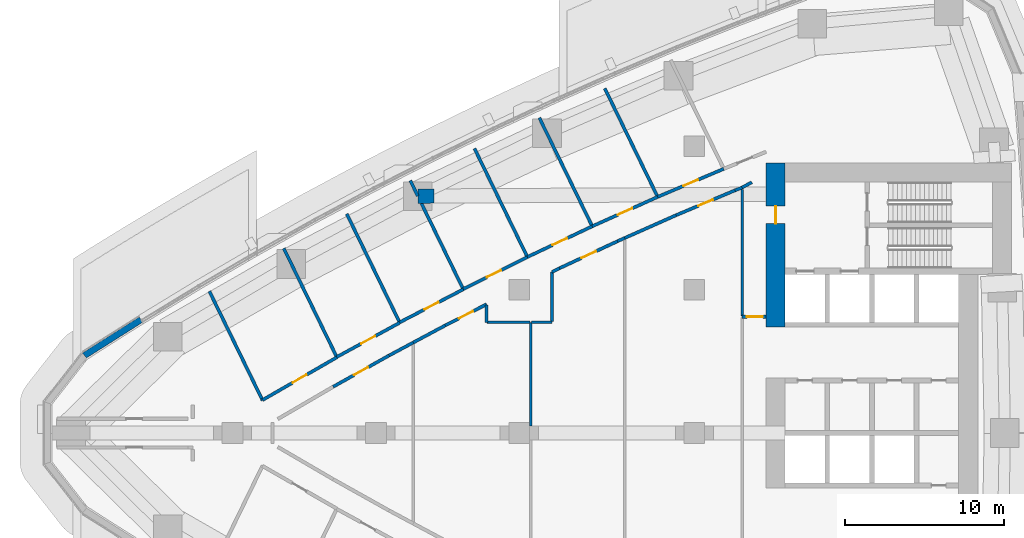
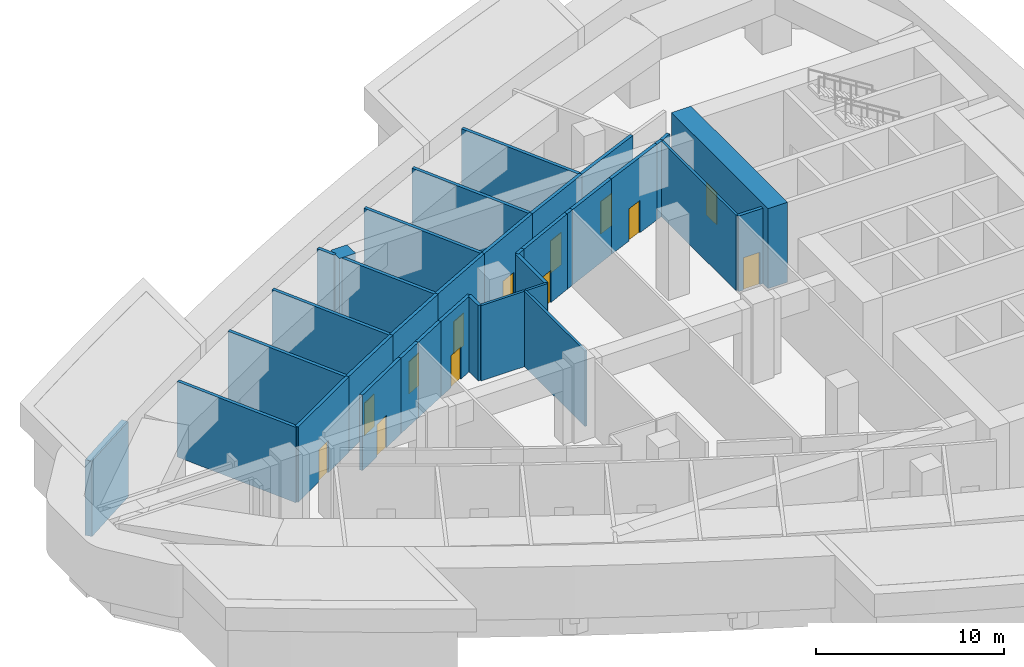
# One storey, part 11 of 17: 36 walls, 13 doors, 13 openings.
"""IFC4 building model written with IfcOpenShell, lengths in metres."""

from ifc_helpers import new_model, si_unit, direction, frame, frame_2d, origin, place, context, subcontext, project, spatial, polyline, rectangle, outline, extrude, material, layer, layer_set, type_object, element, fill, save


model = new_model("IFC4")

# Units and contexts
model_context = context("Model", 3, precision=1e-05, world=origin(), true_north=direction((0.0, 1.0)))
body_context = subcontext(model_context, "Body", "Model", "MODEL_VIEW")
ifc_project = project(units=[si_unit("LENGTHUNIT", "METRE"), si_unit("AREAUNIT", "SQUARE_METRE"), si_unit("VOLUMEUNIT", "CUBIC_METRE"), si_unit("PLANEANGLEUNIT", "RADIAN"), si_unit("MASSUNIT", "GRAM", prefix="KILO")], contexts=[model_context])

# Site, building, storey
site_placement = place(None, origin())
site = spatial("IfcSite", under=ifc_project, at=site_placement, CompositionType="ELEMENT")
building_placement = place(site_placement, origin())
building = spatial("IfcBuilding", under=site, at=building_placement, Name="Ostrand Prow Hotel Tower", CompositionType="ELEMENT")
storey_placement = place(building_placement, frame((0.0, 0.0, 75.10009765625)))
storey = spatial("IfcBuildingStorey", under=building, at=storey_placement, Name="L17", CompositionType="ELEMENT", Elevation=75.10009765625)

# Wall, opening, door
ifc_material_1 = material(Name="Concrete C80/95", Category="concrete")
ifc_layer_1 = layer(ifc_material_1, 1.199951171875)
ifc_layer_set_1 = layer_set([ifc_layer_1], Name="Concrete C80/95")
wall_type_1 = type_object("IfcWallType", Name="Core wall 1200 C80/95", PredefinedType="SHEAR", material=ifc_layer_set_1)
wall_1_placement = place(storey_placement, frame((50.10009765625, 6.64990234375, 0.0), z_axis=(0.0, 0.0, 1.0), x_axis=(0.0, 1.0, 0.0)))
wall_1 = element("IfcWall", 1, at=wall_1_placement, inside=storey, type_object=wall_type_1, Name="Core wall CW-W-N", PredefinedType="SHEAR", context=body_context, shape_type="SweptSolid", body=[
    extrude(rectangle(XDim=10.300048828125, YDim=1.199951171875, at=frame_2d((5.14990234375, 0.0))), origin(), (0.0, 0.0, 1.0), 5.199951171875),
])
opening_1_placement = place(wall_1_placement, frame((6.5, 0.0, 0.0)))
opening_1 = element("IfcOpeningElement", 2, at=opening_1_placement, cuts=wall_1, Name="Opening FD1", PredefinedType="OPENING", context=body_context, shape_type="SweptSolid", body=[
    extrude(rectangle(XDim=1.10009765625, YDim=2.10009765625, at=frame_2d((0.550048828125, 1.050048828125))), frame((0.0, 0.60986328125, 0.0), z_axis=(0.0, -1.0, 0.0), x_axis=(1.0, 0.0, 0.0)), (0.0, 0.0, 1.0), 1.219970703125),
])
ifc_material_2 = material(Name="Steel fire door", Category="steel")
door_type_1 = type_object("IfcDoorType", Name="Fire door 1100 EI120", OperationType="SINGLE_SWING_RIGHT", PredefinedType="DOOR", material=ifc_material_2)
door_1_placement = place(opening_1_placement, origin())
door_1 = element("IfcDoor", 3, at=door_1_placement, inside=storey, type_object=door_type_1, Name="FIRE DOOR", OperationType="SINGLE_SWING_RIGHT", OverallHeight=2.10009765625, OverallWidth=1.10009765625, PredefinedType="DOOR", context=body_context, shape_type="SweptSolid", body=[
    extrude(rectangle(XDim=1.10009765625, YDim=2.10009765625, at=frame_2d((0.550048828125, 1.050048828125))), frame((0.0, 0.02490234375, 0.0), z_axis=(0.0, -1.0, 0.0), x_axis=(1.0, 0.0, 0.0)), (0.0, 0.0, 1.0), 0.050048828125),
])
fill(opening_1, door_1)

# Walls
ifc_material_3 = material(Name="Concrete C80/95", Category="concrete")
ifc_layer_2 = layer(ifc_material_3, 0.89990234375)
ifc_layer_set_2 = layer_set([ifc_layer_2], Name="Concrete C80/95")
wall_type_2 = type_object("IfcWallType", Name="Outrigger wall 900 C80/95", PredefinedType="SHEAR", material=ifc_layer_set_2)
wall_2_placement = place(storey_placement, frame((28.635498046875, 14.8798828125, 0.0), z_axis=(0.0, 0.0, 1.0), x_axis=(-0.999984234944, -0.005615145851, 0.0)))
element("IfcWall", 4, at=wall_2_placement, inside=storey, type_object=wall_type_2, Name="Outrigger wall DN2", PredefinedType="SHEAR", context=body_context, shape_type="SweptSolid", body=[
    extrude(rectangle(XDim=1.0, YDim=0.89990234375, at=frame_2d((0.5, 0.0))), origin(), (0.0, 0.0, 1.0), 4.89990234375),
])
ifc_material_4 = material(Name="Plasterboard partition")
ifc_layer_3 = layer(ifc_material_4, 0.14990234375)
ifc_layer_set_3 = layer_set([ifc_layer_3], Name="Plasterboard partition")
wall_type_3 = type_object("IfcWallType", Name="Partition 150 room partition", PredefinedType="PARTITIONING", material=ifc_layer_set_3)
wall_3_placement = place(storey_placement, frame((34.72509765625, 0.449951171875, 0.0), z_axis=(0.0, 0.0, 1.0), x_axis=(0.0, 1.0, 0.0)))
element("IfcWall", 5, at=wall_3_placement, inside=storey, type_object=wall_type_3, Name="ROOM PARTITION", PredefinedType="PARTITIONING", context=body_context, shape_type="SweptSolid", body=[
    extrude(rectangle(XDim=6.5, YDim=0.14990234375, at=frame_2d((3.25, 0.0))), origin(), (0.0, 0.0, 1.0), 4.89990234375),
])
wall_4_placement = place(storey_placement, frame((31.988037109375, 6.9453125, 0.0), z_axis=(0.0, 0.0, 1.0), x_axis=(0.999999995903, -9.0522313e-05, 0.0)))
element("IfcWall", 6, at=wall_4_placement, inside=storey, type_object=wall_type_3, Name="ROOM PARTITION", PredefinedType="PARTITIONING", context=body_context, shape_type="SweptSolid", body=[
    extrude(rectangle(XDim=2.697021484375, YDim=0.14990234375, at=frame_2d((1.3486328125, 0.0))), origin(), (0.0, 0.0, 1.0), 4.89990234375),
])
wall_5_placement = place(storey_placement, frame((34.764892578125, 6.945068359375, 0.0), z_axis=(0.0, 0.0, 1.0), x_axis=(0.999997420298, 0.002271430824, 0.0)))
element("IfcWall", 7, at=wall_5_placement, inside=storey, type_object=wall_type_3, Name="ROOM PARTITION", PredefinedType="PARTITIONING", context=body_context, shape_type="SweptSolid", body=[
    extrude(rectangle(XDim=1.289794921875, YDim=0.14990234375, at=frame_2d((0.64501953125, 0.0))), origin(), (0.0, 0.0, 1.0), 4.89990234375),
])
wall_6_placement = place(storey_placement, frame((47.9931640625, 15.3037109375, 0.0), z_axis=(0.0, 0.0, 1.0), x_axis=(0.000245240788, -0.999999969928, 0.0)))
element("IfcWall", 8, at=wall_6_placement, inside=storey, type_object=wall_type_3, Name="ROOM PARTITION", PredefinedType="PARTITIONING", context=body_context, shape_type="SweptSolid", body=[
    extrude(rectangle(XDim=7.964111328125, YDim=0.14990234375, at=frame_2d((3.98193359375, 0.0))), origin(), (0.0, 0.0, 1.0), 4.89990234375),
])

# Wall, opening, door
ifc_material_5 = material(Name="Plasterboard partition")
ifc_layer_4 = layer(ifc_material_5, 0.199951171875)
ifc_layer_set_4 = layer_set([ifc_layer_4], Name="Plasterboard partition")
wall_type_4 = type_object("IfcWallType", Name="Partition 200 corridor wall", PredefinedType="PARTITIONING", material=ifc_layer_set_4)
wall_7_placement = place(storey_placement, frame((17.87353515625, 2.068115234375, 0.0), z_axis=(0.0, 0.0, 1.0), x_axis=(0.867093061484, 0.4981461861, 0.0)))
wall_7 = element("IfcWall", 9, at=wall_7_placement, inside=storey, type_object=wall_type_4, Name="CORRIDOR WALL", PredefinedType="PARTITIONING", context=body_context, shape_type="SweptSolid", body=[
    extrude(rectangle(XDim=5.39306640625, YDim=0.199951171875, at=frame_2d((2.696533203125, 0.0))), origin(), (0.0, 0.0, 1.0), 4.89990234375),
])
opening_2_placement = place(wall_7_placement, frame((2.196533203125, 0.0, 0.0)))
opening_2 = element("IfcOpeningElement", 10, at=opening_2_placement, cuts=wall_7, Name="Opening D1", PredefinedType="OPENING", context=body_context, shape_type="SweptSolid", body=[
    extrude(rectangle(XDim=1.0, YDim=2.10009765625, at=frame_2d((0.5, 1.050048828125))), frame((0.0, 0.10986328125, 0.0), z_axis=(0.0, -1.0, 0.0), x_axis=(1.0, 0.0, 0.0)), (0.0, 0.0, 1.0), 0.219970703125),
])
ifc_material_6 = material(Name="Timber door leaf", Category="wood")
door_type_2 = type_object("IfcDoorType", Name="Guest room door 1000", OperationType="SINGLE_SWING_LEFT", PredefinedType="DOOR", material=ifc_material_6)
door_2_placement = place(opening_2_placement, origin())
door_2 = element("IfcDoor", 11, at=door_2_placement, inside=storey, type_object=door_type_2, Name="DOOR", OperationType="SINGLE_SWING_LEFT", OverallHeight=2.10009765625, OverallWidth=1.0, PredefinedType="DOOR", context=body_context, shape_type="SweptSolid", body=[
    extrude(rectangle(XDim=1.0, YDim=2.10009765625, at=frame_2d((0.5, 1.050048828125))), frame((0.0, 0.02490234375, 0.0), z_axis=(0.0, -1.0, 0.0), x_axis=(1.0, 0.0, 0.0)), (0.0, 0.0, 1.0), 0.050048828125),
])
fill(opening_2, door_2)

wall_8_placement = place(storey_placement, frame((22.541015625, 4.772705078125, 0.0), z_axis=(0.0, 0.0, 1.0), x_axis=(0.878098348451, 0.478480188146, 0.0)))
wall_8 = element("IfcWall", 12, at=wall_8_placement, inside=storey, type_object=wall_type_4, Name="CORRIDOR WALL", PredefinedType="PARTITIONING", context=body_context, shape_type="SweptSolid", body=[
    extrude(rectangle(XDim=4.507568359375, YDim=0.199951171875, at=frame_2d((2.25390625, 0.0))), origin(), (0.0, 0.0, 1.0), 4.89990234375),
])
opening_3_placement = place(wall_8_placement, frame((1.75390625, 0.0, 0.0)))
opening_3 = element("IfcOpeningElement", 13, at=opening_3_placement, cuts=wall_8, Name="Opening D1R", PredefinedType="OPENING", context=body_context, shape_type="SweptSolid", body=[
    extrude(rectangle(XDim=1.0, YDim=2.10009765625, at=frame_2d((0.5, 1.050048828125))), frame((0.0, 0.10986328125, 0.0), z_axis=(0.0, -1.0, 0.0), x_axis=(1.0, 0.0, 0.0)), (0.0, 0.0, 1.0), 0.219970703125),
])
ifc_material_7 = material(Name="Timber door leaf", Category="wood")
door_type_3 = type_object("IfcDoorType", Name="Guest room door 1000 right", OperationType="SINGLE_SWING_RIGHT", PredefinedType="DOOR", material=ifc_material_7)
door_3_placement = place(opening_3_placement, origin())
door_3 = element("IfcDoor", 14, at=door_3_placement, inside=storey, type_object=door_type_3, Name="DOOR", OperationType="SINGLE_SWING_RIGHT", OverallHeight=2.10009765625, OverallWidth=1.0, PredefinedType="DOOR", context=body_context, shape_type="SweptSolid", body=[
    extrude(rectangle(XDim=1.0, YDim=2.10009765625, at=frame_2d((0.5, 1.050048828125))), frame((0.0, 0.02490234375, 0.0), z_axis=(0.0, -1.0, 0.0), x_axis=(1.0, 0.0, 0.0)), (0.0, 0.0, 1.0), 0.050048828125),
])
fill(opening_3, door_3)

wall_9_placement = place(storey_placement, frame((26.490234375, 6.947509765625, 0.0), z_axis=(0.0, 0.0, 1.0), x_axis=(0.887638836985, 0.460540220911, 0.0)))
wall_9 = element("IfcWall", 15, at=wall_9_placement, inside=storey, type_object=wall_type_4, Name="CORRIDOR WALL", PredefinedType="PARTITIONING", context=body_context, shape_type="SweptSolid", body=[
    extrude(rectangle(XDim=4.50439453125, YDim=0.199951171875, at=frame_2d((2.252197265625, 0.0))), origin(), (0.0, 0.0, 1.0), 4.89990234375),
])
opening_4_placement = place(wall_9_placement, frame((1.752197265625, 0.0, 0.0)))
opening_4 = element("IfcOpeningElement", 16, at=opening_4_placement, cuts=wall_9, Name="Opening D1", PredefinedType="OPENING", context=body_context, shape_type="SweptSolid", body=[
    extrude(rectangle(XDim=1.0, YDim=2.10009765625, at=frame_2d((0.5, 1.050048828125))), frame((0.0, 0.10986328125, 0.0), z_axis=(0.0, -1.0, 0.0), x_axis=(1.0, 0.0, 0.0)), (0.0, 0.0, 1.0), 0.219970703125),
])
door_4_placement = place(opening_4_placement, origin())
door_4 = element("IfcDoor", 17, at=door_4_placement, inside=storey, type_object=door_type_2, Name="DOOR", OperationType="SINGLE_SWING_LEFT", OverallHeight=2.10009765625, OverallWidth=1.0, PredefinedType="DOOR", context=body_context, shape_type="SweptSolid", body=[
    extrude(rectangle(XDim=1.0, YDim=2.10009765625, at=frame_2d((0.5, 1.050048828125))), frame((0.0, 0.02490234375, 0.0), z_axis=(0.0, -1.0, 0.0), x_axis=(1.0, 0.0, 0.0)), (0.0, 0.0, 1.0), 0.050048828125),
])
fill(opening_4, door_4)

wall_10_placement = place(storey_placement, frame((30.479736328125, 9.039794921875, 0.0), z_axis=(0.0, 0.0, 1.0), x_axis=(0.894989913054, 0.446086376761, 0.0)))
wall_10 = element("IfcWall", 18, at=wall_10_placement, inside=storey, type_object=wall_type_4, Name="CORRIDOR WALL", PredefinedType="PARTITIONING", context=body_context, shape_type="SweptSolid", body=[
    extrude(rectangle(XDim=4.50634765625, YDim=0.199951171875, at=frame_2d((2.253173828125, 0.0))), origin(), (0.0, 0.0, 1.0), 4.89990234375),
])
opening_5_placement = place(wall_10_placement, frame((1.64990234375, 0.0, 0.0)))
opening_5 = element("IfcOpeningElement", 19, at=opening_5_placement, cuts=wall_10, Name="Opening D1R", PredefinedType="OPENING", context=body_context, shape_type="SweptSolid", body=[
    extrude(rectangle(XDim=1.0, YDim=2.10009765625, at=frame_2d((0.5, 1.050048828125))), frame((0.0, 0.10986328125, 0.0), z_axis=(0.0, -1.0, 0.0), x_axis=(1.0, 0.0, 0.0)), (0.0, 0.0, 1.0), 0.219970703125),
])
door_5_placement = place(opening_5_placement, origin())
door_5 = element("IfcDoor", 20, at=door_5_placement, inside=storey, type_object=door_type_3, Name="DOOR", OperationType="SINGLE_SWING_RIGHT", OverallHeight=2.10009765625, OverallWidth=1.0, PredefinedType="DOOR", context=body_context, shape_type="SweptSolid", body=[
    extrude(rectangle(XDim=1.0, YDim=2.10009765625, at=frame_2d((0.5, 1.050048828125))), frame((0.0, 0.02490234375, 0.0), z_axis=(0.0, -1.0, 0.0), x_axis=(1.0, 0.0, 0.0)), (0.0, 0.0, 1.0), 0.050048828125),
])
fill(opening_5, door_5)

wall_11_placement = place(storey_placement, frame((38.584716796875, 12.981201171875, 0.0), z_axis=(0.0, 0.0, 1.0), x_axis=(-0.903706948966, -0.428151550727, 0.0)))
wall_11 = element("IfcWall", 21, at=wall_11_placement, inside=storey, type_object=wall_type_4, Name="CORRIDOR WALL", PredefinedType="PARTITIONING", context=body_context, shape_type="SweptSolid", body=[
    extrude(rectangle(XDim=4.50634765625, YDim=0.199951171875, at=frame_2d((2.253173828125, 0.0))), origin(), (0.0, 0.0, 1.0), 4.89990234375),
])
opening_6_placement = place(wall_11_placement, frame((1.75341796875, 0.0, 0.0)))
opening_6 = element("IfcOpeningElement", 22, at=opening_6_placement, cuts=wall_11, Name="Opening D1", PredefinedType="OPENING", context=body_context, shape_type="SweptSolid", body=[
    extrude(rectangle(XDim=1.0, YDim=2.10009765625, at=frame_2d((0.5, 1.050048828125))), frame((0.0, 0.10986328125, 0.0), z_axis=(0.0, -1.0, 0.0), x_axis=(1.0, 0.0, 0.0)), (0.0, 0.0, 1.0), 0.219970703125),
])
door_6_placement = place(opening_6_placement, origin())
door_6 = element("IfcDoor", 23, at=door_6_placement, inside=storey, type_object=door_type_2, Name="DOOR", OperationType="SINGLE_SWING_LEFT", OverallHeight=2.10009765625, OverallWidth=1.0, PredefinedType="DOOR", context=body_context, shape_type="SweptSolid", body=[
    extrude(rectangle(XDim=1.0, YDim=2.10009765625, at=frame_2d((0.5, 1.050048828125))), frame((0.0, 0.02490234375, 0.0), z_axis=(0.0, -1.0, 0.0), x_axis=(1.0, 0.0, 0.0)), (0.0, 0.0, 1.0), 0.050048828125),
])
fill(opening_6, door_6)

wall_12_placement = place(storey_placement, frame((42.694091796875, 14.8271484375, 0.0), z_axis=(0.0, 0.0, 1.0), x_axis=(-0.912193063794, -0.409760679381, 0.0)))
wall_12 = element("IfcWall", 24, at=wall_12_placement, inside=storey, type_object=wall_type_4, Name="CORRIDOR WALL", PredefinedType="PARTITIONING", context=body_context, shape_type="SweptSolid", body=[
    extrude(rectangle(XDim=4.5048828125, YDim=0.199951171875, at=frame_2d((2.25244140625, 0.0))), origin(), (0.0, 0.0, 1.0), 4.89990234375),
])
opening_7_placement = place(wall_12_placement, frame((1.75244140625, 0.0, 0.0)))
opening_7 = element("IfcOpeningElement", 25, at=opening_7_placement, cuts=wall_12, Name="Opening D1R", PredefinedType="OPENING", context=body_context, shape_type="SweptSolid", body=[
    extrude(rectangle(XDim=1.0, YDim=2.10009765625, at=frame_2d((0.5, 1.050048828125))), frame((0.0, 0.10986328125, 0.0), z_axis=(0.0, -1.0, 0.0), x_axis=(1.0, 0.0, 0.0)), (0.0, 0.0, 1.0), 0.219970703125),
])
door_7_placement = place(opening_7_placement, origin())
door_7 = element("IfcDoor", 26, at=door_7_placement, inside=storey, type_object=door_type_3, Name="DOOR", OperationType="SINGLE_SWING_RIGHT", OverallHeight=2.10009765625, OverallWidth=1.0, PredefinedType="DOOR", context=body_context, shape_type="SweptSolid", body=[
    extrude(rectangle(XDim=1.0, YDim=2.10009765625, at=frame_2d((0.5, 1.050048828125))), frame((0.0, 0.02490234375, 0.0), z_axis=(0.0, -1.0, 0.0), x_axis=(1.0, 0.0, 0.0)), (0.0, 0.0, 1.0), 0.050048828125),
])
fill(opening_7, door_7)

wall_13_placement = place(storey_placement, frame((46.843505859375, 16.5908203125, 0.0), z_axis=(0.0, 0.0, 1.0), x_axis=(-0.92031727314, -0.39117274542, 0.0)))
wall_13 = element("IfcWall", 27, at=wall_13_placement, inside=storey, type_object=wall_type_4, Name="CORRIDOR WALL", PredefinedType="PARTITIONING", context=body_context, shape_type="SweptSolid", body=[
    extrude(rectangle(XDim=4.5087890625, YDim=0.199951171875, at=frame_2d((2.25439453125, 0.0))), origin(), (0.0, 0.0, 1.0), 4.89990234375),
])
opening_8_placement = place(wall_13_placement, frame((1.75439453125, 0.0, 0.0)))
opening_8 = element("IfcOpeningElement", 28, at=opening_8_placement, cuts=wall_13, Name="Opening D1", PredefinedType="OPENING", context=body_context, shape_type="SweptSolid", body=[
    extrude(rectangle(XDim=1.0, YDim=2.10009765625, at=frame_2d((0.5, 1.050048828125))), frame((0.0, 0.10986328125, 0.0), z_axis=(0.0, -1.0, 0.0), x_axis=(1.0, 0.0, 0.0)), (0.0, 0.0, 1.0), 0.219970703125),
])
door_8_placement = place(opening_8_placement, origin())
door_8 = element("IfcDoor", 29, at=door_8_placement, inside=storey, type_object=door_type_2, Name="DOOR", OperationType="SINGLE_SWING_LEFT", OverallHeight=2.10009765625, OverallWidth=1.0, PredefinedType="DOOR", context=body_context, shape_type="SweptSolid", body=[
    extrude(rectangle(XDim=1.0, YDim=2.10009765625, at=frame_2d((0.5, 1.050048828125))), frame((0.0, 0.02490234375, 0.0), z_axis=(0.0, -1.0, 0.0), x_axis=(1.0, 0.0, 0.0)), (0.0, 0.0, 1.0), 0.050048828125),
])
fill(opening_8, door_8)

wall_14_placement = place(storey_placement, frame((22.31201171875, 2.903076171875, 0.0), z_axis=(0.0, 0.0, 1.0), x_axis=(0.872800289292, 0.488077509225, 0.0)))
wall_14 = element("IfcWall", 30, at=wall_14_placement, inside=storey, type_object=wall_type_4, Name="CORRIDOR WALL", PredefinedType="PARTITIONING", context=body_context, shape_type="SweptSolid", body=[
    extrude(rectangle(XDim=4.015625, YDim=0.199951171875, at=frame_2d((2.0078125, 0.0))), origin(), (0.0, 0.0, 1.0), 4.89990234375),
])
opening_9_placement = place(wall_14_placement, frame((1.5078125, 0.0, 0.0)))
opening_9 = element("IfcOpeningElement", 31, at=opening_9_placement, cuts=wall_14, Name="Opening D1", PredefinedType="OPENING", context=body_context, shape_type="SweptSolid", body=[
    extrude(rectangle(XDim=1.0, YDim=2.10009765625, at=frame_2d((0.5, 1.050048828125))), frame((0.0, 0.10986328125, 0.0), z_axis=(0.0, -1.0, 0.0), x_axis=(1.0, 0.0, 0.0)), (0.0, 0.0, 1.0), 0.219970703125),
])
door_9_placement = place(opening_9_placement, origin())
door_9 = element("IfcDoor", 32, at=door_9_placement, inside=storey, type_object=door_type_2, Name="DOOR", OperationType="SINGLE_SWING_LEFT", OverallHeight=2.10009765625, OverallWidth=1.0, PredefinedType="DOOR", context=body_context, shape_type="SweptSolid", body=[
    extrude(rectangle(XDim=1.0, YDim=2.10009765625, at=frame_2d((0.5, 1.050048828125))), frame((0.0, 0.02490234375, 0.0), z_axis=(0.0, -1.0, 0.0), x_axis=(1.0, 0.0, 0.0)), (0.0, 0.0, 1.0), 0.050048828125),
])
fill(opening_9, door_9)

# Wall
wall_15_placement = place(storey_placement, frame((25.81689453125, 4.863037109375, 0.0), z_axis=(0.0, 0.0, 1.0), x_axis=(0.881671912212, 0.471862945373, 0.0)))
element("IfcWall", 33, at=wall_15_placement, inside=storey, type_object=wall_type_4, Name="CORRIDOR WALL", PredefinedType="PARTITIONING", context=body_context, shape_type="SweptSolid", body=[
    extrude(rectangle(XDim=1.739013671875, YDim=0.199951171875, at=frame_2d((0.86962890625, 0.0))), origin(), (0.0, 0.0, 1.0), 4.89990234375),
])

# Wall, opening, door
wall_16_placement = place(storey_placement, frame((29.357421875, 6.758056640625, 0.0), z_axis=(0.0, 0.0, 1.0), x_axis=(0.890213377055, 0.455543788579, 0.0)))
wall_16 = element("IfcWall", 34, at=wall_16_placement, inside=storey, type_object=wall_type_4, Name="CORRIDOR WALL", PredefinedType="PARTITIONING", context=body_context, shape_type="SweptSolid", body=[
    extrude(rectangle(XDim=2.912353515625, YDim=0.199951171875, at=frame_2d((1.4560546875, 0.0))), origin(), (0.0, 0.0, 1.0), 4.89990234375),
])
opening_10_placement = place(wall_16_placement, frame((0.956298828125, 0.0, 0.0)))
opening_10 = element("IfcOpeningElement", 35, at=opening_10_placement, cuts=wall_16, Name="Opening D1R", PredefinedType="OPENING", context=body_context, shape_type="SweptSolid", body=[
    extrude(rectangle(XDim=1.0, YDim=2.10009765625, at=frame_2d((0.5, 1.050048828125))), frame((0.0, 0.10986328125, 0.0), z_axis=(0.0, -1.0, 0.0), x_axis=(1.0, 0.0, 0.0)), (0.0, 0.0, 1.0), 0.219970703125),
])
door_10_placement = place(opening_10_placement, origin())
door_10 = element("IfcDoor", 36, at=door_10_placement, inside=storey, type_object=door_type_3, Name="DOOR", OperationType="SINGLE_SWING_RIGHT", OverallHeight=2.10009765625, OverallWidth=1.0, PredefinedType="DOOR", context=body_context, shape_type="SweptSolid", body=[
    extrude(rectangle(XDim=1.0, YDim=2.10009765625, at=frame_2d((0.5, 1.050048828125))), frame((0.0, 0.02490234375, 0.0), z_axis=(0.0, -1.0, 0.0), x_axis=(1.0, 0.0, 0.0)), (0.0, 0.0, 1.0), 0.050048828125),
])
fill(opening_10, door_10)

# Wall
wall_17_placement = place(storey_placement, frame((27.35009765625, 5.68359375, 0.0), z_axis=(0.0, 0.0, 1.0), x_axis=(0.881642515819, 0.471917868173, 0.0)))
element("IfcWall", 37, at=wall_17_placement, inside=storey, type_object=wall_type_4, Name="CORRIDOR WALL", PredefinedType="PARTITIONING", context=body_context, shape_type="SweptSolid", body=[
    extrude(rectangle(XDim=2.27685546875, YDim=0.199951171875, at=frame_2d((1.138427734375, 0.0))), origin(), (0.0, 0.0, 1.0), 4.89990234375),
])

# Wall, opening, door
wall_18_placement = place(storey_placement, frame((36.5400390625, 10.35107421875, 0.0), z_axis=(0.0, 0.0, 1.0), x_axis=(0.906347708834, 0.42253263861, 0.0)))
wall_18 = element("IfcWall", 38, at=wall_18_placement, inside=storey, type_object=wall_type_4, Name="CORRIDOR WALL", PredefinedType="PARTITIONING", context=body_context, shape_type="SweptSolid", body=[
    extrude(rectangle(XDim=4.015625, YDim=0.199951171875, at=frame_2d((2.0078125, 0.0))), origin(), (0.0, 0.0, 1.0), 4.89990234375),
])
opening_11_placement = place(wall_18_placement, frame((1.5078125, 0.0, 0.0)))
opening_11 = element("IfcOpeningElement", 39, at=opening_11_placement, cuts=wall_18, Name="Opening D1", PredefinedType="OPENING", context=body_context, shape_type="SweptSolid", body=[
    extrude(rectangle(XDim=1.0, YDim=2.10009765625, at=frame_2d((0.5, 1.050048828125))), frame((0.0, 0.10986328125, 0.0), z_axis=(0.0, -1.0, 0.0), x_axis=(1.0, 0.0, 0.0)), (0.0, 0.0, 1.0), 0.219970703125),
])
door_11_placement = place(opening_11_placement, origin())
door_11 = element("IfcDoor", 40, at=door_11_placement, inside=storey, type_object=door_type_2, Name="DOOR", OperationType="SINGLE_SWING_LEFT", OverallHeight=2.10009765625, OverallWidth=1.0, PredefinedType="DOOR", context=body_context, shape_type="SweptSolid", body=[
    extrude(rectangle(XDim=1.0, YDim=2.10009765625, at=frame_2d((0.5, 1.050048828125))), frame((0.0, 0.02490234375, 0.0), z_axis=(0.0, -1.0, 0.0), x_axis=(1.0, 0.0, 0.0)), (0.0, 0.0, 1.0), 0.050048828125),
])
fill(opening_11, door_11)

wall_19_placement = place(storey_placement, frame((43.85009765625, 13.67724609375, 0.0), z_axis=(0.0, 0.0, 1.0), x_axis=(0.921269894054, 0.388923877269, 0.0)))
wall_19 = element("IfcWall", 41, at=wall_19_placement, inside=storey, type_object=wall_type_4, Name="CORRIDOR WALL", PredefinedType="PARTITIONING", context=body_context, shape_type="SweptSolid", body=[
    extrude(rectangle(XDim=4.015625, YDim=0.199951171875, at=frame_2d((2.0078125, 0.0))), origin(), (0.0, 0.0, 1.0), 4.89990234375),
])
opening_12_placement = place(wall_19_placement, frame((1.5078125, 0.0, 0.0)))
opening_12 = element("IfcOpeningElement", 42, at=opening_12_placement, cuts=wall_19, Name="Opening D1R", PredefinedType="OPENING", context=body_context, shape_type="SweptSolid", body=[
    extrude(rectangle(XDim=1.0, YDim=2.10009765625, at=frame_2d((0.5, 1.050048828125))), frame((0.0, 0.10986328125, 0.0), z_axis=(0.0, -1.0, 0.0), x_axis=(1.0, 0.0, 0.0)), (0.0, 0.0, 1.0), 0.219970703125),
])
door_12_placement = place(opening_12_placement, origin())
door_12 = element("IfcDoor", 43, at=door_12_placement, inside=storey, type_object=door_type_3, Name="DOOR", OperationType="SINGLE_SWING_RIGHT", OverallHeight=2.10009765625, OverallWidth=1.0, PredefinedType="DOOR", context=body_context, shape_type="SweptSolid", body=[
    extrude(rectangle(XDim=1.0, YDim=2.10009765625, at=frame_2d((0.5, 1.050048828125))), frame((0.0, 0.02490234375, 0.0), z_axis=(0.0, -1.0, 0.0), x_axis=(1.0, 0.0, 0.0)), (0.0, 0.0, 1.0), 0.050048828125),
])
fill(opening_12, door_12)

# Walls
wall_20_placement = place(storey_placement, frame((40.625, 12.24560546875, 0.0), z_axis=(0.0, 0.0, 1.0), x_axis=(0.913994059627, 0.405727567423, 0.0)))
element("IfcWall", 44, at=wall_20_placement, inside=storey, type_object=wall_type_4, Name="CORRIDOR WALL", PredefinedType="PARTITIONING", context=body_context, shape_type="SweptSolid", body=[
    extrude(rectangle(XDim=3.528564453125, YDim=0.199951171875, at=frame_2d((1.76416015625, 0.0))), origin(), (0.0, 0.0, 1.0), 4.89990234375),
])
wall_21_placement = place(storey_placement, frame((31.945068359375, 8.037353515625, 0.0), z_axis=(0.0, 0.0, 1.0), x_axis=(0.002682753592, -0.99999640141, 0.0)))
element("IfcWall", 45, at=wall_21_placement, inside=storey, type_object=wall_type_4, Name="CORRIDOR WALL", PredefinedType="PARTITIONING", context=body_context, shape_type="SweptSolid", body=[
    extrude(rectangle(XDim=1.092041015625, YDim=0.199951171875, at=frame_2d((0.5458984375, 0.0))), origin(), (0.0, 0.0, 1.0), 4.89990234375),
])
wall_22_placement = place(storey_placement, frame((36.0546875, 6.988037109375, 0.0), z_axis=(0.0, 0.0, 1.0), x_axis=(7.8241139e-05, 0.999999996939, 0.0)))
element("IfcWall", 46, at=wall_22_placement, inside=storey, type_object=wall_type_4, Name="CORRIDOR WALL", PredefinedType="PARTITIONING", context=body_context, shape_type="SweptSolid", body=[
    extrude(rectangle(XDim=3.120361328125, YDim=0.199951171875, at=frame_2d((1.56005859375, 0.0))), origin(), (0.0, 0.0, 1.0), 4.89990234375),
])
wall_23_placement = place(storey_placement, frame((47.9931640625, 15.4111328125, 0.0), z_axis=(0.0, 0.0, 1.0), x_axis=(0.877412656892, 0.479736416718, 0.0)))
element("IfcWall", 47, at=wall_23_placement, inside=storey, type_object=wall_type_4, Name="CORRIDOR WALL", PredefinedType="PARTITIONING", context=body_context, shape_type="SweptSolid", body=[
    extrude(rectangle(XDim=0.6962890625, YDim=0.199951171875, at=frame_2d((0.34814453125, 0.0))), origin(), (0.0, 0.0, 1.0), 4.89990234375),
])
wall_24_placement = place(storey_placement, frame((36.054931640625, 10.1083984375, 0.0), z_axis=(0.0, 0.0, 1.0), x_axis=(0.894337154042, 0.447393624116, 0.0)))
element("IfcWall", 48, at=wall_24_placement, inside=storey, type_object=wall_type_4, Name="CORRIDOR WALL", PredefinedType="PARTITIONING", context=body_context, shape_type="SweptSolid", body=[
    extrude(rectangle(XDim=0.54248046875, YDim=0.199951171875, at=frame_2d((0.271240234375, 0.0))), origin(), (0.0, 0.0, 1.0), 4.89990234375),
])
wall_25_placement = place(storey_placement, frame((40.1796875, 12.0478515625, 0.0), z_axis=(0.0, 0.0, 1.0), x_axis=(0.913935479932, 0.405859505891, 0.0)))
element("IfcWall", 49, at=wall_25_placement, inside=storey, type_object=wall_type_4, Name="CORRIDOR WALL", PredefinedType="PARTITIONING", context=body_context, shape_type="SweptSolid", body=[
    extrude(rectangle(XDim=0.4873046875, YDim=0.199951171875, at=frame_2d((0.24365234375, 0.0))), origin(), (0.0, 0.0, 1.0), 4.89990234375),
])
wall_26_placement = place(storey_placement, frame((47.549560546875, 15.239013671875, 0.0), z_axis=(0.0, 0.0, 1.0), x_axis=(0.932283636678, 0.361728103389, 0.0)))
element("IfcWall", 50, at=wall_26_placement, inside=storey, type_object=wall_type_4, Name="CORRIDOR WALL", PredefinedType="PARTITIONING", context=body_context, shape_type="SweptSolid", body=[
    extrude(rectangle(XDim=0.475830078125, YDim=0.199951171875, at=frame_2d((0.23779296875, 0.0))), origin(), (0.0, 0.0, 1.0), 4.89990234375),
])
ifc_material_8 = material(Name="Plasterboard partition")
ifc_layer_5 = layer(ifc_material_8, 0.199951171875)
ifc_layer_set_5 = layer_set([ifc_layer_5], Name="Plasterboard partition")
wall_type_5 = type_object("IfcWallType", Name="Partition 200 key partition", PredefinedType="PARTITIONING", material=ifc_layer_set_5)
wall_27_placement = place(storey_placement, frame((17.88232421875, 2.050048828125, 0.0), z_axis=(0.0, 0.0, 1.0), x_axis=(-0.438213564788, 0.898870887078, 0.0)))
element("IfcWall", 51, at=wall_27_placement, inside=storey, type_object=wall_type_5, Name="KEY PARTITION", PredefinedType="PARTITIONING", context=body_context, shape_type="SweptSolid", body=[
    extrude(rectangle(XDim=7.62548828125, YDim=0.199951171875, at=frame_2d((3.812744140625, 0.0))), origin(), (0.0, 0.0, 1.0), 4.89990234375),
])
wall_28_placement = place(storey_placement, frame((22.5498046875, 4.754638671875, 0.0), z_axis=(0.0, 0.0, 1.0), x_axis=(-0.438210669268, 0.898872298683, 0.0)))
element("IfcWall", 52, at=wall_28_placement, inside=storey, type_object=wall_type_5, Name="KEY PARTITION", PredefinedType="PARTITIONING", context=body_context, shape_type="SweptSolid", body=[
    extrude(rectangle(XDim=7.612060546875, YDim=0.199951171875, at=frame_2d((3.80615234375, 0.0))), origin(), (0.0, 0.0, 1.0), 4.89990234375),
])
wall_29_placement = place(storey_placement, frame((26.4990234375, 6.929443359375, 0.0), z_axis=(0.0, 0.0, 1.0), x_axis=(-0.438215539964, 0.898869924146, 0.0)))
element("IfcWall", 53, at=wall_29_placement, inside=storey, type_object=wall_type_5, Name="KEY PARTITION", PredefinedType="PARTITIONING", context=body_context, shape_type="SweptSolid", body=[
    extrude(rectangle(XDim=7.605224609375, YDim=0.199951171875, at=frame_2d((3.802734375, 0.0))), origin(), (0.0, 0.0, 1.0), 4.89990234375),
])
wall_30_placement = place(storey_placement, frame((30.488525390625, 9.02197265625, 0.0), z_axis=(0.0, 0.0, 1.0), x_axis=(-0.438207579449, 0.898873804999, 0.0)))
element("IfcWall", 54, at=wall_30_placement, inside=storey, type_object=wall_type_5, Name="KEY PARTITION", PredefinedType="PARTITIONING", context=body_context, shape_type="SweptSolid", body=[
    extrude(rectangle(XDim=6.011474609375, YDim=0.199951171875, at=frame_2d((3.005859375, 0.0))), origin(), (0.0, 0.0, 1.0), 4.89990234375),
])
wall_31_placement = place(storey_placement, frame((27.635498046875, 14.874267578125, 0.0), z_axis=(0.0, 0.0, 1.0), x_axis=(-0.438326596436, 0.898815773591, 0.0)))
element("IfcWall", 55, at=wall_31_placement, inside=storey, type_object=wall_type_5, Name="KEY PARTITION", PredefinedType="PARTITIONING", context=body_context, shape_type="SweptSolid", body=[
    extrude(rectangle(XDim=1.090576171875, YDim=0.199951171875, at=frame_2d((0.54541015625, 0.0))), origin(), (0.0, 0.0, 1.0), 4.89990234375),
])
wall_32_placement = place(storey_placement, frame((34.512939453125, 11.050048828125, 0.0), z_axis=(0.0, 0.0, 1.0), x_axis=(-0.438187612283, 0.898883538865, 0.0)))
element("IfcWall", 56, at=wall_32_placement, inside=storey, type_object=wall_type_5, Name="KEY PARTITION", PredefinedType="PARTITIONING", context=body_context, shape_type="SweptSolid", body=[
    extrude(rectangle(XDim=7.581787109375, YDim=0.199951171875, at=frame_2d((3.791015625, 0.0))), origin(), (0.0, 0.0, 1.0), 4.89990234375),
])
wall_33_placement = place(storey_placement, frame((38.593505859375, 12.96337890625, 0.0), z_axis=(0.0, 0.0, 1.0), x_axis=(-0.438197705697, 0.898878618459, 0.0)))
element("IfcWall", 57, at=wall_33_placement, inside=storey, type_object=wall_type_5, Name="KEY PARTITION", PredefinedType="PARTITIONING", context=body_context, shape_type="SweptSolid", body=[
    extrude(rectangle(XDim=7.60107421875, YDim=0.199951171875, at=frame_2d((3.800537109375, 0.0))), origin(), (0.0, 0.0, 1.0), 4.89990234375),
])
wall_34_placement = place(storey_placement, frame((42.702880859375, 14.80908203125, 0.0), z_axis=(0.0, 0.0, 1.0), x_axis=(-0.438202247191, 0.898876404494, 0.0)))
element("IfcWall", 58, at=wall_34_placement, inside=storey, type_object=wall_type_5, Name="KEY PARTITION", PredefinedType="PARTITIONING", context=body_context, shape_type="SweptSolid", body=[
    extrude(rectangle(XDim=7.60498046875, YDim=0.199951171875, at=frame_2d((3.802490234375, 0.0))), origin(), (0.0, 0.0, 1.0), 4.89990234375),
])

# Wall, opening, door
ifc_material_9 = material(Name="Plasterboard partition")
ifc_layer_6 = layer(ifc_material_9, 0.199951171875)
ifc_layer_set_6 = layer_set([ifc_layer_6], Name="Plasterboard partition")
wall_type_6 = type_object("IfcWallType", Name="Partition 200 refuge wall", PredefinedType="PARTITIONING", material=ifc_layer_set_6)
wall_35_placement = place(storey_placement, frame((48.0, 7.300048828125, 0.0), z_axis=(0.0, 0.0, 1.0), x_axis=(1.0, 0.0, 0.0)))
wall_35 = element("IfcWall", 59, at=wall_35_placement, inside=storey, type_object=wall_type_6, Name="REFUGE WALL", PredefinedType="PARTITIONING", context=body_context, shape_type="SweptSolid", body=[
    extrude(rectangle(XDim=1.5, YDim=0.199951171875, at=frame_2d((0.75, 0.0))), origin(), (0.0, 0.0, 1.0), 4.89990234375),
])
opening_13_placement = place(wall_35_placement, frame((0.300048828125, 0.0, 0.0)))
opening_13 = element("IfcOpeningElement", 60, at=opening_13_placement, cuts=wall_35, Name="Opening D1", PredefinedType="OPENING", context=body_context, shape_type="SweptSolid", body=[
    extrude(rectangle(XDim=1.0, YDim=2.10009765625, at=frame_2d((0.5, 1.050048828125))), frame((0.0, 0.10986328125, 0.0), z_axis=(0.0, -1.0, 0.0), x_axis=(1.0, 0.0, 0.0)), (0.0, 0.0, 1.0), 0.219970703125),
])
door_13_placement = place(opening_13_placement, origin())
door_13 = element("IfcDoor", 61, at=door_13_placement, inside=storey, type_object=door_type_2, Name="DOOR", OperationType="SINGLE_SWING_LEFT", OverallHeight=2.10009765625, OverallWidth=1.0, PredefinedType="DOOR", context=body_context, shape_type="SweptSolid", body=[
    extrude(rectangle(XDim=1.0, YDim=2.10009765625, at=frame_2d((0.5, 1.050048828125))), frame((0.0, 0.02490234375, 0.0), z_axis=(0.0, -1.0, 0.0), x_axis=(1.0, 0.0, 0.0)), (0.0, 0.0, 1.0), 0.050048828125),
])
fill(opening_13, door_13)

# Wall
ifc_material_10 = material(Name="Precast concrete C40/50", Category="concrete")
ifc_layer_7 = layer(ifc_material_10, 0.39990234375)
ifc_layer_set_7 = layer_set([ifc_layer_7], Name="Precast concrete C40/50")
wall_type_7 = type_object("IfcWallType", Name="Stone-faced precast wall 400 mm", PredefinedType="NOTDEFINED", material=ifc_layer_set_7)
wall_36_placement = place(storey_placement, frame((10.24169921875, 7.116455078125, 0.0), z_axis=(0.0, 0.0, 1.0), x_axis=(-0.844551578623, -0.535474211372, 0.0)))
element("IfcWall", 62, at=wall_36_placement, inside=storey, type_object=wall_type_7, Name="Stone-faced wall prow 1", PredefinedType="NOTDEFINED", context=body_context, shape_type="SweptSolid", body=[
    extrude(outline(polyline([(0.0, -0.199951171875), (4.23046875, -0.199951171875), (4.16162109375, 0.199951171875), (0.0, 0.199951171875), (0.0, -0.199951171875)])), origin(), (0.0, 0.0, 1.0), 4.89990234375),
])

save(model, "model.ifc")
